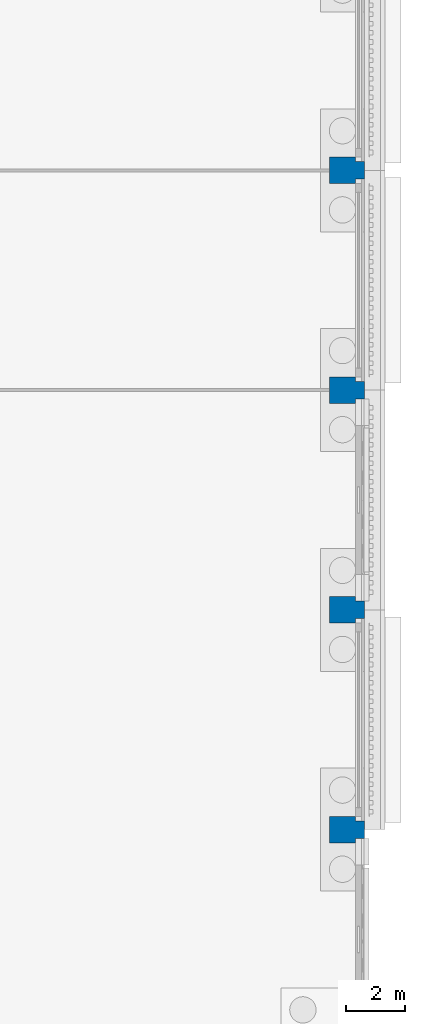
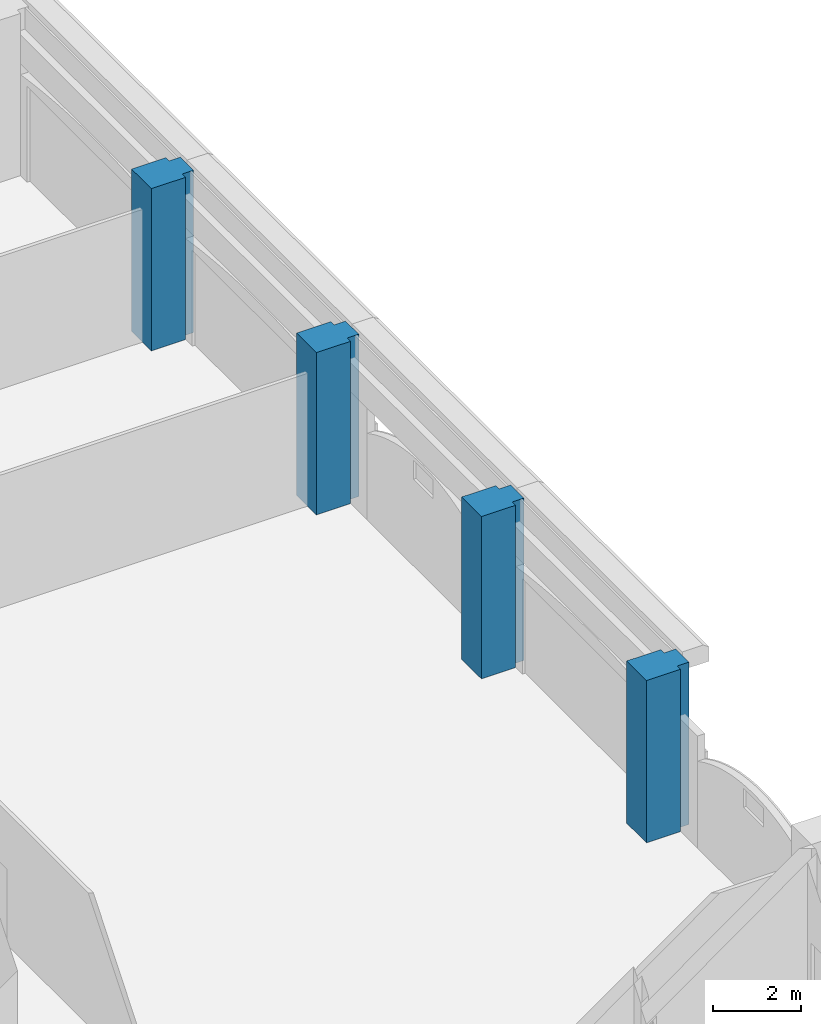
# One storey, part 16 of 99: 4 columns.
"""IFC4 building model written with IfcOpenShell, lengths in metres."""

import ifcopenshell
import ifcopenshell.guid

model = None  # the IFC model being written
_history = None  # IfcOwnerHistory: only IFC2X3 demands one
_inside = {}  # id of a spatial element -> (the spatial element, [elements in it])
_under = {}  # id of a project, library or spatial element -> (it, [spatial elements below it])
_declared = {}  # id of a project -> (the project, [libraries it declares])
_typed = {}  # id of a type object -> (the type object, [elements of that type])
_made_of = {}  # id of a material, layer set ... -> (it, [elements and type objects made of it])


def new_model(schema):
    """Start an empty IFC model of exactly this schema.

    Asked for "IFC4X3", IfcOpenShell would pick the latest addendum, in which some entities
    have other attributes; the version numbers below select the first issue.
    IFC2X3 requires an IfcOwnerHistory on every rooted entity: one is made here for all.
    """
    global model, _history
    if schema == "IFC4X3":
        model = ifcopenshell.file(schema_version=(4, 3, 0, 0))
    else:
        model = ifcopenshell.file(schema=schema)
    _inside.clear()
    _under.clear()
    _declared.clear()
    _typed.clear()
    _made_of.clear()
    _history = None
    if model.schema == "IFC2X3":
        org = make("IfcOrganization", Name="unknown")
        user = make(
            "IfcPersonAndOrganization",
            ThePerson=make("IfcPerson", FamilyName="unknown"),
            TheOrganization=org,
        )
        app = make(
            "IfcApplication",
            ApplicationDeveloper=org,
            Version="unknown",
            ApplicationFullName="unknown",
            ApplicationIdentifier="unknown",
        )
        _history = make(
            "IfcOwnerHistory",
            OwningUser=user,
            OwningApplication=app,
            ChangeAction="ADDED",
            CreationDate=0,
        )
    return model


def make(cls, **values):
    """One entity of the class cls with the attributes given. An attribute that is None is left unset."""
    return model.create_entity(
        cls, **{name: value for name, value in values.items() if value is not None}
    )


def rooted(cls, **values):
    """An entity with a GlobalId (a new one), such as an element, a storey or a relation."""
    return make(cls, GlobalId=ifcopenshell.guid.new(), OwnerHistory=_history, **values)


def si_unit(unit_type, name, prefix=None):
    """IfcSIUnit, for example si_unit("LENGTHUNIT", "METRE", prefix="MILLI")."""
    return make("IfcSIUnit", UnitType=unit_type, Prefix=prefix, Name=name)


def assignment(units):
    """IfcUnitAssignment: the units of a project."""
    return None if units is None else make("IfcUnitAssignment", Units=units)


def point(xyz):
    """IfcCartesianPoint."""
    return None if xyz is None else make("IfcCartesianPoint", Coordinates=xyz)


def direction(xyz):
    """IfcDirection."""
    return None if xyz is None else make("IfcDirection", DirectionRatios=xyz)


def frame(location, z_axis=None, x_axis=None):
    """IfcAxis2Placement3D, a coordinate frame: its origin and axes. An axis left out is left unset."""
    return make(
        "IfcAxis2Placement3D",
        Location=point(location),
        Axis=direction(z_axis),
        RefDirection=direction(x_axis),
    )


def origin():
    """The frame at (0, 0, 0) with its axes left unset."""
    return frame((0.0, 0.0, 0.0))


def place(relative_to, where):
    """IfcLocalPlacement: puts the frame where relative to a parent placement (None: the world)."""
    return make(
        "IfcLocalPlacement", PlacementRelTo=relative_to, RelativePlacement=where
    )


def context(
    kind, dimensions, precision=None, world=None, true_north=None, identifier=None
):
    """IfcGeometricRepresentationContext, for example the 3D "Model" context."""
    return make(
        "IfcGeometricRepresentationContext",
        ContextIdentifier=identifier,
        ContextType=kind,
        CoordinateSpaceDimension=dimensions,
        Precision=precision,
        WorldCoordinateSystem=world,
        TrueNorth=true_north,
    )


def subcontext(parent, identifier, kind, view, scale=None):
    """IfcGeometricRepresentationSubContext, for example "Body" below "Model"."""
    return make(
        "IfcGeometricRepresentationSubContext",
        ContextIdentifier=identifier,
        ContextType=kind,
        ParentContext=parent,
        TargetScale=scale,
        TargetView=view,
    )


def project(units=None, contexts=None):
    """IfcProject with its units and contexts."""
    return rooted(
        "IfcProject",
        Name="project",
        RepresentationContexts=contexts,
        UnitsInContext=assignment(units),
    )


def spatial(cls, under=None, at=None, **own):
    """A site, building, storey or space (cls), placed at a placement, below another one or the project."""
    s = rooted(cls, ObjectPlacement=at, **own)
    if under is not None:
        _under.setdefault(under.id(), (under, []))[1].append(s)
    return s


def polyline(points):
    """IfcPolyline through the points."""
    return make("IfcPolyline", Points=[point(p) for p in points])


def outline(outer, holes=None, kind="AREA"):
    """IfcArbitraryClosedProfileDef: a profile drawn as a closed curve; with holes, ...WithVoids."""
    if holes is None:
        return make("IfcArbitraryClosedProfileDef", ProfileType=kind, OuterCurve=outer)
    return make(
        "IfcArbitraryProfileDefWithVoids",
        ProfileType=kind,
        OuterCurve=outer,
        InnerCurves=holes,
    )


def extrude(swept, where, along, depth):
    """IfcExtrudedAreaSolid: the profile swept, set in the frame where, extruded along a direction by depth."""
    return make(
        "IfcExtrudedAreaSolid",
        SweptArea=swept,
        Position=where,
        ExtrudedDirection=direction(along),
        Depth=depth,
    )


def shape(context_of_items, identifier, shape_type, items):
    """IfcShapeRepresentation: the items that make up one representation, for example the "Body"."""
    return make(
        "IfcShapeRepresentation",
        ContextOfItems=context_of_items,
        RepresentationIdentifier=identifier,
        RepresentationType=shape_type,
        Items=items,
    )


def material(Name=None, Category=None):
    """IfcMaterial."""
    return make("IfcMaterial", Name=Name, Category=Category)


def material_profile(
    of_material, cross_section, Name=None, Category=None, Priority=None
):
    """IfcMaterialProfile: a cross section and its material."""
    return make(
        "IfcMaterialProfile",
        Name=Name,
        Material=of_material,
        Profile=cross_section,
        Priority=Priority,
        Category=Category,
    )


def profile_set(profiles, Name=None, composite=None):
    """IfcMaterialProfileSet."""
    return make(
        "IfcMaterialProfileSet",
        Name=Name,
        MaterialProfiles=profiles,
        CompositeProfile=composite,
    )


def made_of(thing, what):
    """Note that an element or type object is made of a material, layer set ...; save() writes the relation."""
    if what is not None:
        _made_of.setdefault(what.id(), (what, []))[1].append(thing)
    return thing


def type_object(cls, material=None, **own):
    """A type object (cls), such as IfcWallType, which elements share."""
    return made_of(rooted(cls, **own), material)


def element(
    cls,
    number,
    at=None,
    inside=None,
    cuts=None,
    type_object=None,
    material=None,
    context=None,
    identifier="Body",
    shape_type=None,
    held_by="IfcProductDefinitionShape",
    body=None,
    shapes=None,
    **own,
):
    """One element of the class cls, such as IfcWall. Its Tag is "e" and its number.

    at: its placement. inside: the storey or other place that contains it. cuts: it is an
    opening in that element (IfcRelVoidsElement). A single representation is given by context,
    identifier, shape_type and body (its items); several are given by shapes. held_by: the class
    of the entity that holds the representations. save() writes the other relations.
    """
    e = rooted(cls, Tag="e%d" % number, ObjectPlacement=at, **own)
    if body is not None:
        shapes = [shape(context, identifier, shape_type, body)]
    if shapes is not None:
        e.Representation = make(held_by, Representations=shapes)
    if inside is not None:
        _inside.setdefault(inside.id(), (inside, []))[1].append(e)
    if cuts is not None:
        rooted(
            "IfcRelVoidsElement", RelatingBuildingElement=cuts, RelatedOpeningElement=e
        )
    if type_object is not None:
        _typed.setdefault(type_object.id(), (type_object, []))[1].append(e)
    return made_of(e, material)


def aggregate(whole, parts):
    """IfcRelAggregates: a whole, such as a stair, and the parts it consists of."""
    return rooted("IfcRelAggregates", RelatingObject=whole, RelatedObjects=parts)


def save(model, path):
    """Write the relations noted so far, then the file.

    IfcRelAggregates (storeys below a building ...), IfcRelContainedInSpatialStructure (elements
    in a storey), IfcRelDefinesByType, IfcRelAssociatesMaterial and IfcRelDeclares: one each for
    every whole, place, type object, material and project.
    """
    for whole, parts in _under.values():
        aggregate(whole, parts)
    for where, things in _inside.values():
        rooted(
            "IfcRelContainedInSpatialStructure",
            RelatedElements=things,
            RelatingStructure=where,
        )
    for kind, things in _typed.values():
        rooted("IfcRelDefinesByType", RelatedObjects=things, RelatingType=kind)
    for what, things in _made_of.values():
        rooted("IfcRelAssociatesMaterial", RelatedObjects=things, RelatingMaterial=what)
    for by, libraries in _declared.values():
        rooted("IfcRelDeclares", RelatingContext=by, RelatedDefinitions=libraries)
    model.write(path)


model = new_model("IFC4")

# Units and contexts
model_context = context("Model", 3, precision=1e-05, world=origin(), true_north=direction((0.0, 1.0)))
body_context = subcontext(model_context, "Body", "Model", "MODEL_VIEW")
ifc_project = project(units=[si_unit("LENGTHUNIT", "METRE"), si_unit("AREAUNIT", "SQUARE_METRE"), si_unit("VOLUMEUNIT", "CUBIC_METRE"), si_unit("PLANEANGLEUNIT", "RADIAN"), si_unit("MASSUNIT", "GRAM", prefix="KILO")], contexts=[model_context])

# Site, building, storey
site_placement = place(None, origin())
site = spatial("IfcSite", under=ifc_project, at=site_placement, CompositionType="ELEMENT")
building_placement = place(site_placement, origin())
building = spatial("IfcBuilding", under=site, at=building_placement, Name="Cour d'Honneur Mobility Palace", CompositionType="ELEMENT")
storey_placement = place(building_placement, origin())
storey = spatial("IfcBuildingStorey", under=building, at=storey_placement, Name="L00", CompositionType="ELEMENT", Elevation=0.0)

# Columns
ifc_material = material(Name="Concrete C50", Category="concrete")
ifc_material_profile = material_profile(ifc_material, outline(polyline([(-0.449951171875, -0.449951171875), (0.449951171875, -0.449951171875), (0.449951171875, -0.300048828125), (0.75, -0.300048828125), (0.75, 0.300048828125), (0.449951171875, 0.300048828125), (0.449951171875, 0.449951171875), (-0.449951171875, 0.449951171875), (-0.449951171875, -0.449951171875)])), Name="PC C900 pilaster")
ifc_profile_set = profile_set([ifc_material_profile], Name="Concrete C50")
column_type = type_object("IfcColumnType", Name="Precast Column 900 pilaster", PredefinedType="COLUMN", material=ifc_profile_set)
for number, where, z_axis, x_axis, name in (
    (1, (162.300048828125, 69.89990234375, 0.0), (0.0, 0.0, 1.0), (1.0, 0.0, 0.0), "Precast column C3 20/J L00"),
    (2, (162.300048828125, 77.39990234375, 0.0), (0.0, 0.0, 1.0), (1.0, 0.0, 0.0), "Precast column C3 20/K L00"),
    (3, (162.300048828125, 84.89990234375, 0.0), (0.0, 0.0, 1.0), (1.0, 0.0, 0.0), "Precast column C3 20/L L00"),
    (4, (162.300048828125, 92.39990234375, 0.0), (0.0, 0.0, 1.0), (1.0, 0.0, 0.0), "Precast column C3 20/M L00"),
):
    element("IfcColumn", number, at=place(storey_placement, frame(where, z_axis=z_axis, x_axis=x_axis)), inside=storey, type_object=column_type, Name=name, PredefinedType="COLUMN", context=body_context, shape_type="SweptSolid", body=[
        extrude(outline(polyline([(-0.449951171875, -0.449951171875), (0.449951171875, -0.449951171875), (0.449951171875, -0.300048828125), (0.75, -0.300048828125), (0.75, 0.300048828125), (0.449951171875, 0.300048828125), (0.449951171875, 0.449951171875), (-0.449951171875, 0.449951171875), (-0.449951171875, -0.449951171875)])), origin(), (0.0, 0.0, 1.0), 4.5),
    ])

save(model, "model.ifc")
